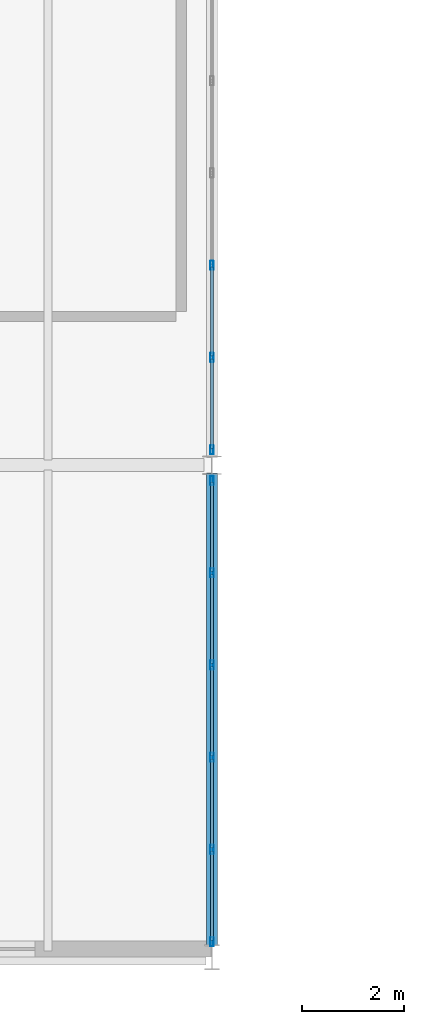
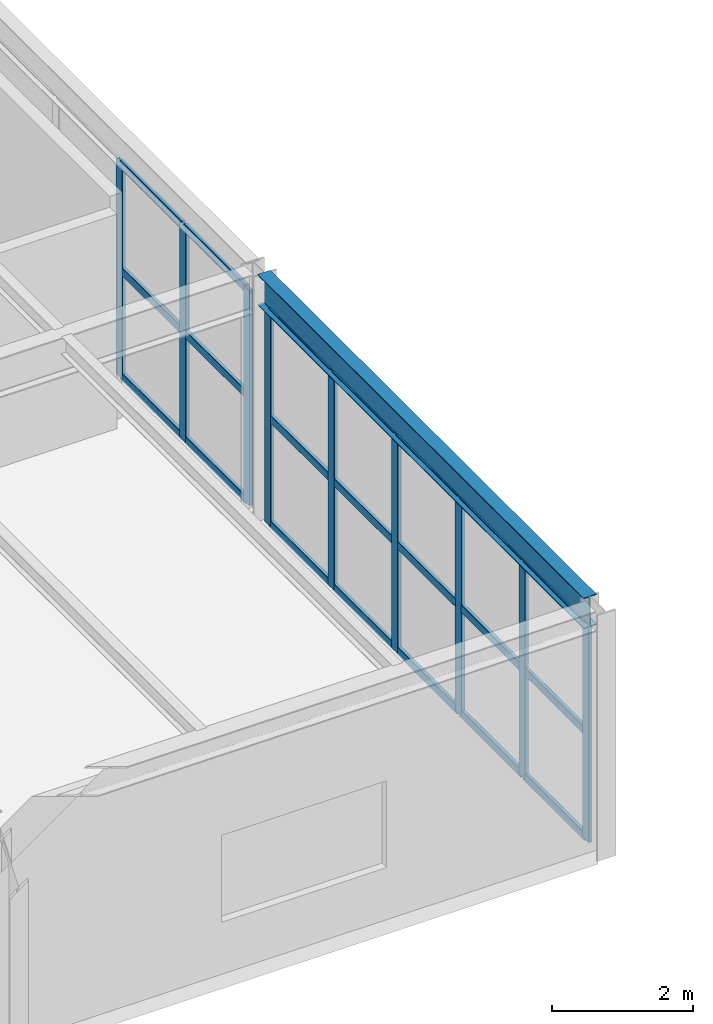
# One storey, part 67 of 170: 30 members, 1 beam, 2 elements without a shape of their own.
"""IFC4 building model written with IfcOpenShell, lengths in metres."""

from ifc_helpers import new_model, si_unit, direction, frame, origin, origin_2d, place, context, subcontext, project, spatial, hollow_rectangle, i_section, extrude, material, material_profile, profile_set, type_object, element, aggregate, save


model = new_model("IFC4")

# Units and contexts
model_context = context("Model", 3, precision=1e-05, world=origin(), true_north=direction((0.0, 1.0)))
body_context = subcontext(model_context, "Body", "Model", "MODEL_VIEW")
ifc_project = project(units=[si_unit("LENGTHUNIT", "METRE"), si_unit("AREAUNIT", "SQUARE_METRE"), si_unit("VOLUMEUNIT", "CUBIC_METRE"), si_unit("PLANEANGLEUNIT", "RADIAN"), si_unit("MASSUNIT", "GRAM", prefix="KILO")], contexts=[model_context])

# Site, building, storey
site_placement = place(None, origin())
site = spatial("IfcSite", under=ifc_project, at=site_placement, CompositionType="ELEMENT")
building_placement = place(site_placement, origin())
building = spatial("IfcBuilding", under=site, at=building_placement, Name="Coralgate Yard Interchange", CompositionType="ELEMENT")
storey_placement = place(building_placement, frame((0.0, 0.0, 6.0)))
storey = spatial("IfcBuildingStorey", under=building, at=storey_placement, Name="L01", CompositionType="ELEMENT", Elevation=6.0)

# Beam
ifc_material_1 = material(Name="Structural steel S355J2", Category="steel")
ifc_material_profile_1 = material_profile(ifc_material_1, i_section(OverallWidth=0.209228515625, OverallDepth=0.533203125, WebThickness=0.010009765625, FlangeThickness=0.015625, FilletRadius=0.0126953125, at=origin_2d()), Name="UB 533x210x92")
ifc_profile_set_1 = profile_set([ifc_material_profile_1], Name="Structural steel S355J2")
beam_type = type_object("IfcBeamType", Name="BM-SB-1", PredefinedType="BEAM", material=ifc_profile_set_1)
beam_placement = place(storey_placement, frame((96.0, 0.219970703125, 3.9833984375), z_axis=(0.0, 1.0, 0.0), x_axis=(-1.0, 0.0, 0.0)))
element("IfcBeam", 1, at=beam_placement, inside=storey, type_object=beam_type, Name="L01 primary grid girder X10 Y0-1", PredefinedType="BEAM", context=body_context, shape_type="SweptSolid", body=[
    extrude(i_section(OverallWidth=0.209228515625, OverallDepth=0.533203125, WebThickness=0.010009765625, FlangeThickness=0.015625, FilletRadius=0.0126953125, at=origin_2d()), origin(), (0.0, 0.0, 1.0), 9.225830078125),
])

# Curtain wall, members
ifc_material_2 = material(Name="Anodised coastal aluminium and solar-control low-E glass", Category="aluminium")
curtain_wall_type = type_object("IfcCurtainWallType", Name="CW-CW-L01-B", PredefinedType="NOTDEFINED", material=ifc_material_2)
curtain_wall_1_placement = place(storey_placement, origin())
curtain_wall_1 = element("IfcCurtainWall", 2, at=curtain_wall_1_placement, inside=storey, type_object=curtain_wall_type, Name="L01 unitised curtain wall CW-L01-E-09-00", PredefinedType="NOTDEFINED")
ifc_material_3 = material(Name="Anodised coastal aluminium 6063-T6", Category="aluminium")
ifc_material_profile_2 = material_profile(ifc_material_3, hollow_rectangle(XDim=0.06005859375, YDim=0.179931640625, WallThickness=0.00390625, InnerFilletRadius=0.00390625, OuterFilletRadius=0.008056640625, at=origin_2d()), Name="ALU 60x180x4")
ifc_profile_set_2 = profile_set([ifc_material_profile_2], Name="Anodised coastal aluminium 6063-T6")
member_type_1 = type_object("IfcMemberType", Name="MB-MUL-180", PredefinedType="MULLION", material=ifc_profile_set_2)
member_1_placement = place(storey_placement, frame((96.0, 9.300048828125, 0.0), z_axis=(0.0, 0.0, 1.0), x_axis=(1.0, 0.0, 0.0)))
member_1 = element("IfcMember", 3, at=member_1_placement, type_object=member_type_1, Name="CW-L01-E-09-00 vertical mullion 1", PredefinedType="MULLION", context=body_context, shape_type="SweptSolid", body=[
    extrude(hollow_rectangle(XDim=0.06005859375, YDim=0.179931640625, WallThickness=0.00390625, InnerFilletRadius=0.00390625, OuterFilletRadius=0.008056640625, at=origin_2d()), origin(), (0.0, 0.0, 1.0), 3.716796875),
])
member_2_placement = place(storey_placement, frame((96.0, 7.5, 0.0), z_axis=(0.0, 0.0, 1.0), x_axis=(1.0, 0.0, 0.0)))
member_2 = element("IfcMember", 4, at=member_2_placement, type_object=member_type_1, Name="CW-L01-E-09-00 vertical mullion 2", PredefinedType="MULLION", context=body_context, shape_type="SweptSolid", body=[
    extrude(hollow_rectangle(XDim=0.06005859375, YDim=0.179931640625, WallThickness=0.00390625, InnerFilletRadius=0.00390625, OuterFilletRadius=0.008056640625, at=origin_2d()), origin(), (0.0, 0.0, 1.0), 3.716796875),
])
member_3_placement = place(storey_placement, frame((96.0, 5.699951171875, 0.0), z_axis=(0.0, 0.0, 1.0), x_axis=(1.0, 0.0, 0.0)))
member_3 = element("IfcMember", 5, at=member_3_placement, type_object=member_type_1, Name="CW-L01-E-09-00 vertical mullion 3", PredefinedType="MULLION", context=body_context, shape_type="SweptSolid", body=[
    extrude(hollow_rectangle(XDim=0.06005859375, YDim=0.179931640625, WallThickness=0.00390625, InnerFilletRadius=0.00390625, OuterFilletRadius=0.008056640625, at=origin_2d()), origin(), (0.0, 0.0, 1.0), 3.716796875),
])
member_4_placement = place(storey_placement, frame((96.0, 3.89990234375, 0.0), z_axis=(0.0, 0.0, 1.0), x_axis=(1.0, 0.0, 0.0)))
member_4 = element("IfcMember", 6, at=member_4_placement, type_object=member_type_1, Name="CW-L01-E-09-00 vertical mullion 4", PredefinedType="MULLION", context=body_context, shape_type="SweptSolid", body=[
    extrude(hollow_rectangle(XDim=0.06005859375, YDim=0.179931640625, WallThickness=0.00390625, InnerFilletRadius=0.00390625, OuterFilletRadius=0.008056640625, at=origin_2d()), origin(), (0.0, 0.0, 1.0), 3.716796875),
])
member_5_placement = place(storey_placement, frame((96.0, 2.10009765625, 0.0), z_axis=(0.0, 0.0, 1.0), x_axis=(1.0, 0.0, 0.0)))
member_5 = element("IfcMember", 7, at=member_5_placement, type_object=member_type_1, Name="CW-L01-E-09-00 vertical mullion 5", PredefinedType="MULLION", context=body_context, shape_type="SweptSolid", body=[
    extrude(hollow_rectangle(XDim=0.06005859375, YDim=0.179931640625, WallThickness=0.00390625, InnerFilletRadius=0.00390625, OuterFilletRadius=0.008056640625, at=origin_2d()), origin(), (0.0, 0.0, 1.0), 3.716796875),
])
member_6_placement = place(storey_placement, frame((96.0, 0.300048828125, 0.0), z_axis=(0.0, 0.0, 1.0), x_axis=(1.0, 0.0, 0.0)))
member_6 = element("IfcMember", 8, at=member_6_placement, type_object=member_type_1, Name="CW-L01-E-09-00 vertical mullion 6", PredefinedType="MULLION", context=body_context, shape_type="SweptSolid", body=[
    extrude(hollow_rectangle(XDim=0.06005859375, YDim=0.179931640625, WallThickness=0.00390625, InnerFilletRadius=0.00390625, OuterFilletRadius=0.008056640625, at=origin_2d()), origin(), (0.0, 0.0, 1.0), 3.716796875),
])

curtain_wall_2_placement = place(storey_placement, origin())
curtain_wall_2 = element("IfcCurtainWall", 9, at=curtain_wall_2_placement, inside=storey, type_object=curtain_wall_type, Name="L01 unitised curtain wall CW-L01-E-09-01", PredefinedType="NOTDEFINED")
member_7_placement = place(storey_placement, frame((96.0, 13.5, 0.0), z_axis=(0.0, 0.0, 1.0), x_axis=(1.0, 0.0, 0.0)))
member_7 = element("IfcMember", 10, at=member_7_placement, type_object=member_type_1, Name="CW-L01-E-09-01 vertical mullion 4", PredefinedType="MULLION", context=body_context, shape_type="SweptSolid", body=[
    extrude(hollow_rectangle(XDim=0.06005859375, YDim=0.179931640625, WallThickness=0.00390625, InnerFilletRadius=0.00390625, OuterFilletRadius=0.008056640625, at=origin_2d()), origin(), (0.0, 0.0, 1.0), 3.716796875),
])
member_8_placement = place(storey_placement, frame((96.0, 11.699951171875, 0.0), z_axis=(0.0, 0.0, 1.0), x_axis=(1.0, 0.0, 0.0)))
member_8 = element("IfcMember", 11, at=member_8_placement, type_object=member_type_1, Name="CW-L01-E-09-01 vertical mullion 5", PredefinedType="MULLION", context=body_context, shape_type="SweptSolid", body=[
    extrude(hollow_rectangle(XDim=0.06005859375, YDim=0.179931640625, WallThickness=0.00390625, InnerFilletRadius=0.00390625, OuterFilletRadius=0.008056640625, at=origin_2d()), origin(), (0.0, 0.0, 1.0), 3.716796875),
])
member_9_placement = place(storey_placement, frame((96.0, 9.89990234375, 0.0), z_axis=(0.0, 0.0, 1.0), x_axis=(1.0, 0.0, 0.0)))
member_9 = element("IfcMember", 12, at=member_9_placement, type_object=member_type_1, Name="CW-L01-E-09-01 vertical mullion 6", PredefinedType="MULLION", context=body_context, shape_type="SweptSolid", body=[
    extrude(hollow_rectangle(XDim=0.06005859375, YDim=0.179931640625, WallThickness=0.00390625, InnerFilletRadius=0.00390625, OuterFilletRadius=0.008056640625, at=origin_2d()), origin(), (0.0, 0.0, 1.0), 3.716796875),
])

# Member
ifc_material_profile_3 = material_profile(ifc_material_3, hollow_rectangle(XDim=0.06005859375, YDim=0.139892578125, WallThickness=0.00341796875, InnerFilletRadius=0.00341796875, OuterFilletRadius=0.007080078125, at=origin_2d()), Name="ALU 60x140x3.5")
ifc_profile_set_3 = profile_set([ifc_material_profile_3], Name="Anodised coastal aluminium 6063-T6")
member_type_2 = type_object("IfcMemberType", Name="MB-TRN-140", PredefinedType="USERDEFINED", material=ifc_profile_set_3)
member_10_placement = place(storey_placement, frame((96.0, 9.27001953125, 0.034912109375), z_axis=(0.0, -1.0, 0.0), x_axis=(1.0, 0.0, 0.0)))
member_10 = element("IfcMember", 13, at=member_10_placement, type_object=member_type_2, Name="CW-L01-E-09-00 horizontal transom 1-1", ObjectType="TRANSOM", PredefinedType="USERDEFINED", context=body_context, shape_type="SweptSolid", body=[
    extrude(hollow_rectangle(XDim=0.06005859375, YDim=0.139892578125, WallThickness=0.00341796875, InnerFilletRadius=0.00341796875, OuterFilletRadius=0.007080078125, at=origin_2d()), origin(), (0.0, 0.0, 1.0), 1.739990234375),
])

member_11_placement = place(storey_placement, frame((96.0, 9.27001953125, 1.8583984375), z_axis=(0.0, -1.0, 0.0), x_axis=(1.0, 0.0, 0.0)))
member_11 = element("IfcMember", 14, at=member_11_placement, type_object=member_type_2, Name="CW-L01-E-09-00 horizontal transom 1-2", ObjectType="TRANSOM", PredefinedType="USERDEFINED", context=body_context, shape_type="SweptSolid", body=[
    extrude(hollow_rectangle(XDim=0.06005859375, YDim=0.139892578125, WallThickness=0.00341796875, InnerFilletRadius=0.00341796875, OuterFilletRadius=0.007080078125, at=origin_2d()), origin(), (0.0, 0.0, 1.0), 1.739990234375),
])

member_12_placement = place(storey_placement, frame((96.0, 9.27001953125, 3.681884765625), z_axis=(0.0, -1.0, 0.0), x_axis=(1.0, 0.0, 0.0)))
member_12 = element("IfcMember", 15, at=member_12_placement, type_object=member_type_2, Name="CW-L01-E-09-00 horizontal transom 1-3", ObjectType="TRANSOM", PredefinedType="USERDEFINED", context=body_context, shape_type="SweptSolid", body=[
    extrude(hollow_rectangle(XDim=0.06005859375, YDim=0.139892578125, WallThickness=0.00341796875, InnerFilletRadius=0.00341796875, OuterFilletRadius=0.007080078125, at=origin_2d()), origin(), (0.0, 0.0, 1.0), 1.739990234375),
])

member_13_placement = place(storey_placement, frame((96.0, 7.469970703125, 0.034912109375), z_axis=(0.0, -1.0, 0.0), x_axis=(1.0, 0.0, 0.0)))
member_13 = element("IfcMember", 16, at=member_13_placement, type_object=member_type_2, Name="CW-L01-E-09-00 horizontal transom 2-1", ObjectType="TRANSOM", PredefinedType="USERDEFINED", context=body_context, shape_type="SweptSolid", body=[
    extrude(hollow_rectangle(XDim=0.06005859375, YDim=0.139892578125, WallThickness=0.00341796875, InnerFilletRadius=0.00341796875, OuterFilletRadius=0.007080078125, at=origin_2d()), origin(), (0.0, 0.0, 1.0), 1.739990234375),
])

member_14_placement = place(storey_placement, frame((96.0, 7.469970703125, 1.8583984375), z_axis=(0.0, -1.0, 0.0), x_axis=(1.0, 0.0, 0.0)))
member_14 = element("IfcMember", 17, at=member_14_placement, type_object=member_type_2, Name="CW-L01-E-09-00 horizontal transom 2-2", ObjectType="TRANSOM", PredefinedType="USERDEFINED", context=body_context, shape_type="SweptSolid", body=[
    extrude(hollow_rectangle(XDim=0.06005859375, YDim=0.139892578125, WallThickness=0.00341796875, InnerFilletRadius=0.00341796875, OuterFilletRadius=0.007080078125, at=origin_2d()), origin(), (0.0, 0.0, 1.0), 1.739990234375),
])

member_15_placement = place(storey_placement, frame((96.0, 7.469970703125, 3.681884765625), z_axis=(0.0, -1.0, 0.0), x_axis=(1.0, 0.0, 0.0)))
member_15 = element("IfcMember", 18, at=member_15_placement, type_object=member_type_2, Name="CW-L01-E-09-00 horizontal transom 2-3", ObjectType="TRANSOM", PredefinedType="USERDEFINED", context=body_context, shape_type="SweptSolid", body=[
    extrude(hollow_rectangle(XDim=0.06005859375, YDim=0.139892578125, WallThickness=0.00341796875, InnerFilletRadius=0.00341796875, OuterFilletRadius=0.007080078125, at=origin_2d()), origin(), (0.0, 0.0, 1.0), 1.739990234375),
])

member_16_placement = place(storey_placement, frame((96.0, 5.669921875, 0.034912109375), z_axis=(0.0, -1.0, 0.0), x_axis=(1.0, 0.0, 0.0)))
member_16 = element("IfcMember", 19, at=member_16_placement, type_object=member_type_2, Name="CW-L01-E-09-00 horizontal transom 3-1", ObjectType="TRANSOM", PredefinedType="USERDEFINED", context=body_context, shape_type="SweptSolid", body=[
    extrude(hollow_rectangle(XDim=0.06005859375, YDim=0.139892578125, WallThickness=0.00341796875, InnerFilletRadius=0.00341796875, OuterFilletRadius=0.007080078125, at=origin_2d()), origin(), (0.0, 0.0, 1.0), 1.739990234375),
])

member_17_placement = place(storey_placement, frame((96.0, 5.669921875, 1.8583984375), z_axis=(0.0, -1.0, 0.0), x_axis=(1.0, 0.0, 0.0)))
member_17 = element("IfcMember", 20, at=member_17_placement, type_object=member_type_2, Name="CW-L01-E-09-00 horizontal transom 3-2", ObjectType="TRANSOM", PredefinedType="USERDEFINED", context=body_context, shape_type="SweptSolid", body=[
    extrude(hollow_rectangle(XDim=0.06005859375, YDim=0.139892578125, WallThickness=0.00341796875, InnerFilletRadius=0.00341796875, OuterFilletRadius=0.007080078125, at=origin_2d()), origin(), (0.0, 0.0, 1.0), 1.739990234375),
])

member_18_placement = place(storey_placement, frame((96.0, 5.669921875, 3.681884765625), z_axis=(0.0, -1.0, 0.0), x_axis=(1.0, 0.0, 0.0)))
member_18 = element("IfcMember", 21, at=member_18_placement, type_object=member_type_2, Name="CW-L01-E-09-00 horizontal transom 3-3", ObjectType="TRANSOM", PredefinedType="USERDEFINED", context=body_context, shape_type="SweptSolid", body=[
    extrude(hollow_rectangle(XDim=0.06005859375, YDim=0.139892578125, WallThickness=0.00341796875, InnerFilletRadius=0.00341796875, OuterFilletRadius=0.007080078125, at=origin_2d()), origin(), (0.0, 0.0, 1.0), 1.739990234375),
])

member_19_placement = place(storey_placement, frame((96.0, 3.8701171875, 0.034912109375), z_axis=(0.0, -1.0, 0.0), x_axis=(1.0, 0.0, 0.0)))
member_19 = element("IfcMember", 22, at=member_19_placement, type_object=member_type_2, Name="CW-L01-E-09-00 horizontal transom 4-1", ObjectType="TRANSOM", PredefinedType="USERDEFINED", context=body_context, shape_type="SweptSolid", body=[
    extrude(hollow_rectangle(XDim=0.06005859375, YDim=0.139892578125, WallThickness=0.00341796875, InnerFilletRadius=0.00341796875, OuterFilletRadius=0.007080078125, at=origin_2d()), origin(), (0.0, 0.0, 1.0), 1.740234375),
])

member_20_placement = place(storey_placement, frame((96.0, 3.8701171875, 1.8583984375), z_axis=(0.0, -1.0, 0.0), x_axis=(1.0, 0.0, 0.0)))
member_20 = element("IfcMember", 23, at=member_20_placement, type_object=member_type_2, Name="CW-L01-E-09-00 horizontal transom 4-2", ObjectType="TRANSOM", PredefinedType="USERDEFINED", context=body_context, shape_type="SweptSolid", body=[
    extrude(hollow_rectangle(XDim=0.06005859375, YDim=0.139892578125, WallThickness=0.00341796875, InnerFilletRadius=0.00341796875, OuterFilletRadius=0.007080078125, at=origin_2d()), origin(), (0.0, 0.0, 1.0), 1.740234375),
])

member_21_placement = place(storey_placement, frame((96.0, 3.8701171875, 3.681884765625), z_axis=(0.0, -1.0, 0.0), x_axis=(1.0, 0.0, 0.0)))
member_21 = element("IfcMember", 24, at=member_21_placement, type_object=member_type_2, Name="CW-L01-E-09-00 horizontal transom 4-3", ObjectType="TRANSOM", PredefinedType="USERDEFINED", context=body_context, shape_type="SweptSolid", body=[
    extrude(hollow_rectangle(XDim=0.06005859375, YDim=0.139892578125, WallThickness=0.00341796875, InnerFilletRadius=0.00341796875, OuterFilletRadius=0.007080078125, at=origin_2d()), origin(), (0.0, 0.0, 1.0), 1.740234375),
])

member_22_placement = place(storey_placement, frame((96.0, 2.070068359375, 0.034912109375), z_axis=(0.0, -1.0, 0.0), x_axis=(1.0, 0.0, 0.0)))
member_22 = element("IfcMember", 25, at=member_22_placement, type_object=member_type_2, Name="CW-L01-E-09-00 horizontal transom 5-1", ObjectType="TRANSOM", PredefinedType="USERDEFINED", context=body_context, shape_type="SweptSolid", body=[
    extrude(hollow_rectangle(XDim=0.06005859375, YDim=0.139892578125, WallThickness=0.00341796875, InnerFilletRadius=0.00341796875, OuterFilletRadius=0.007080078125, at=origin_2d()), origin(), (0.0, 0.0, 1.0), 1.739990234375),
])

member_23_placement = place(storey_placement, frame((96.0, 2.070068359375, 1.8583984375), z_axis=(0.0, -1.0, 0.0), x_axis=(1.0, 0.0, 0.0)))
member_23 = element("IfcMember", 26, at=member_23_placement, type_object=member_type_2, Name="CW-L01-E-09-00 horizontal transom 5-2", ObjectType="TRANSOM", PredefinedType="USERDEFINED", context=body_context, shape_type="SweptSolid", body=[
    extrude(hollow_rectangle(XDim=0.06005859375, YDim=0.139892578125, WallThickness=0.00341796875, InnerFilletRadius=0.00341796875, OuterFilletRadius=0.007080078125, at=origin_2d()), origin(), (0.0, 0.0, 1.0), 1.739990234375),
])

member_24_placement = place(storey_placement, frame((96.0, 2.070068359375, 3.681884765625), z_axis=(0.0, -1.0, 0.0), x_axis=(1.0, 0.0, 0.0)))
member_24 = element("IfcMember", 27, at=member_24_placement, type_object=member_type_2, Name="CW-L01-E-09-00 horizontal transom 5-3", ObjectType="TRANSOM", PredefinedType="USERDEFINED", context=body_context, shape_type="SweptSolid", body=[
    extrude(hollow_rectangle(XDim=0.06005859375, YDim=0.139892578125, WallThickness=0.00341796875, InnerFilletRadius=0.00341796875, OuterFilletRadius=0.007080078125, at=origin_2d()), origin(), (0.0, 0.0, 1.0), 1.739990234375),
])

aggregate(curtain_wall_1, [member_1, member_2, member_3, member_4, member_5, member_6, member_10, member_11, member_12, member_13, member_14, member_15, member_16, member_17, member_18, member_19, member_20, member_21, member_22, member_23, member_24])

member_25_placement = place(storey_placement, frame((96.0, 13.469970703125, 0.034912109375), z_axis=(0.0, -1.0, 0.0), x_axis=(1.0, 0.0, 0.0)))
member_25 = element("IfcMember", 28, at=member_25_placement, type_object=member_type_2, Name="CW-L01-E-09-01 horizontal transom 4-1", ObjectType="TRANSOM", PredefinedType="USERDEFINED", context=body_context, shape_type="SweptSolid", body=[
    extrude(hollow_rectangle(XDim=0.06005859375, YDim=0.139892578125, WallThickness=0.00341796875, InnerFilletRadius=0.00341796875, OuterFilletRadius=0.007080078125, at=origin_2d()), origin(), (0.0, 0.0, 1.0), 1.739990234375),
])

member_26_placement = place(storey_placement, frame((96.0, 13.469970703125, 1.8583984375), z_axis=(0.0, -1.0, 0.0), x_axis=(1.0, 0.0, 0.0)))
member_26 = element("IfcMember", 29, at=member_26_placement, type_object=member_type_2, Name="CW-L01-E-09-01 horizontal transom 4-2", ObjectType="TRANSOM", PredefinedType="USERDEFINED", context=body_context, shape_type="SweptSolid", body=[
    extrude(hollow_rectangle(XDim=0.06005859375, YDim=0.139892578125, WallThickness=0.00341796875, InnerFilletRadius=0.00341796875, OuterFilletRadius=0.007080078125, at=origin_2d()), origin(), (0.0, 0.0, 1.0), 1.739990234375),
])

member_27_placement = place(storey_placement, frame((96.0, 13.469970703125, 3.681884765625), z_axis=(0.0, -1.0, 0.0), x_axis=(1.0, 0.0, 0.0)))
member_27 = element("IfcMember", 30, at=member_27_placement, type_object=member_type_2, Name="CW-L01-E-09-01 horizontal transom 4-3", ObjectType="TRANSOM", PredefinedType="USERDEFINED", context=body_context, shape_type="SweptSolid", body=[
    extrude(hollow_rectangle(XDim=0.06005859375, YDim=0.139892578125, WallThickness=0.00341796875, InnerFilletRadius=0.00341796875, OuterFilletRadius=0.007080078125, at=origin_2d()), origin(), (0.0, 0.0, 1.0), 1.739990234375),
])

member_28_placement = place(storey_placement, frame((96.0, 11.669921875, 0.034912109375), z_axis=(0.0, -1.0, 0.0), x_axis=(1.0, 0.0, 0.0)))
member_28 = element("IfcMember", 31, at=member_28_placement, type_object=member_type_2, Name="CW-L01-E-09-01 horizontal transom 5-1", ObjectType="TRANSOM", PredefinedType="USERDEFINED", context=body_context, shape_type="SweptSolid", body=[
    extrude(hollow_rectangle(XDim=0.06005859375, YDim=0.139892578125, WallThickness=0.00341796875, InnerFilletRadius=0.00341796875, OuterFilletRadius=0.007080078125, at=origin_2d()), origin(), (0.0, 0.0, 1.0), 1.739990234375),
])

member_29_placement = place(storey_placement, frame((96.0, 11.669921875, 1.8583984375), z_axis=(0.0, -1.0, 0.0), x_axis=(1.0, 0.0, 0.0)))
member_29 = element("IfcMember", 32, at=member_29_placement, type_object=member_type_2, Name="CW-L01-E-09-01 horizontal transom 5-2", ObjectType="TRANSOM", PredefinedType="USERDEFINED", context=body_context, shape_type="SweptSolid", body=[
    extrude(hollow_rectangle(XDim=0.06005859375, YDim=0.139892578125, WallThickness=0.00341796875, InnerFilletRadius=0.00341796875, OuterFilletRadius=0.007080078125, at=origin_2d()), origin(), (0.0, 0.0, 1.0), 1.739990234375),
])

member_30_placement = place(storey_placement, frame((96.0, 11.669921875, 3.681884765625), z_axis=(0.0, -1.0, 0.0), x_axis=(1.0, 0.0, 0.0)))
member_30 = element("IfcMember", 33, at=member_30_placement, type_object=member_type_2, Name="CW-L01-E-09-01 horizontal transom 5-3", ObjectType="TRANSOM", PredefinedType="USERDEFINED", context=body_context, shape_type="SweptSolid", body=[
    extrude(hollow_rectangle(XDim=0.06005859375, YDim=0.139892578125, WallThickness=0.00341796875, InnerFilletRadius=0.00341796875, OuterFilletRadius=0.007080078125, at=origin_2d()), origin(), (0.0, 0.0, 1.0), 1.739990234375),
])

aggregate(curtain_wall_2, [member_7, member_8, member_9, member_25, member_26, member_27, member_28, member_29, member_30])

save(model, "model.ifc")
